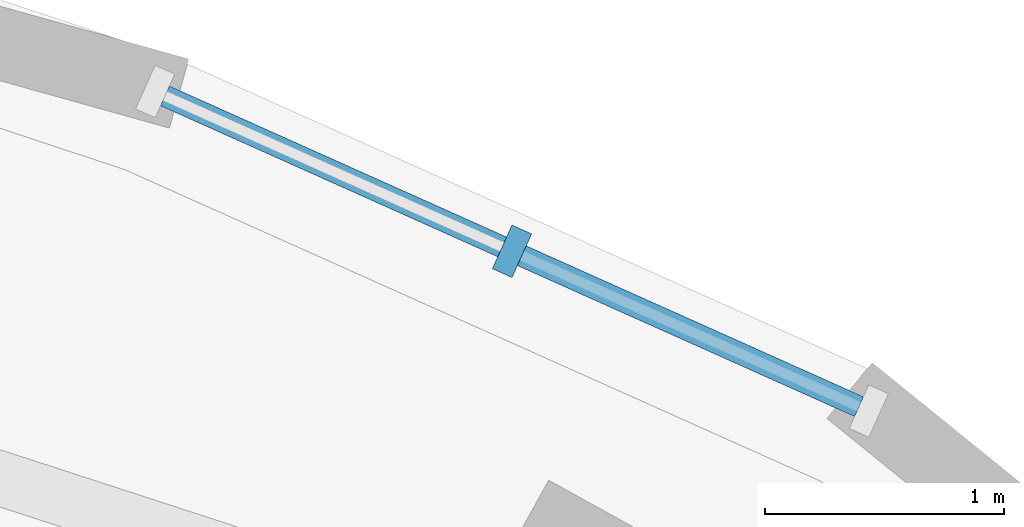
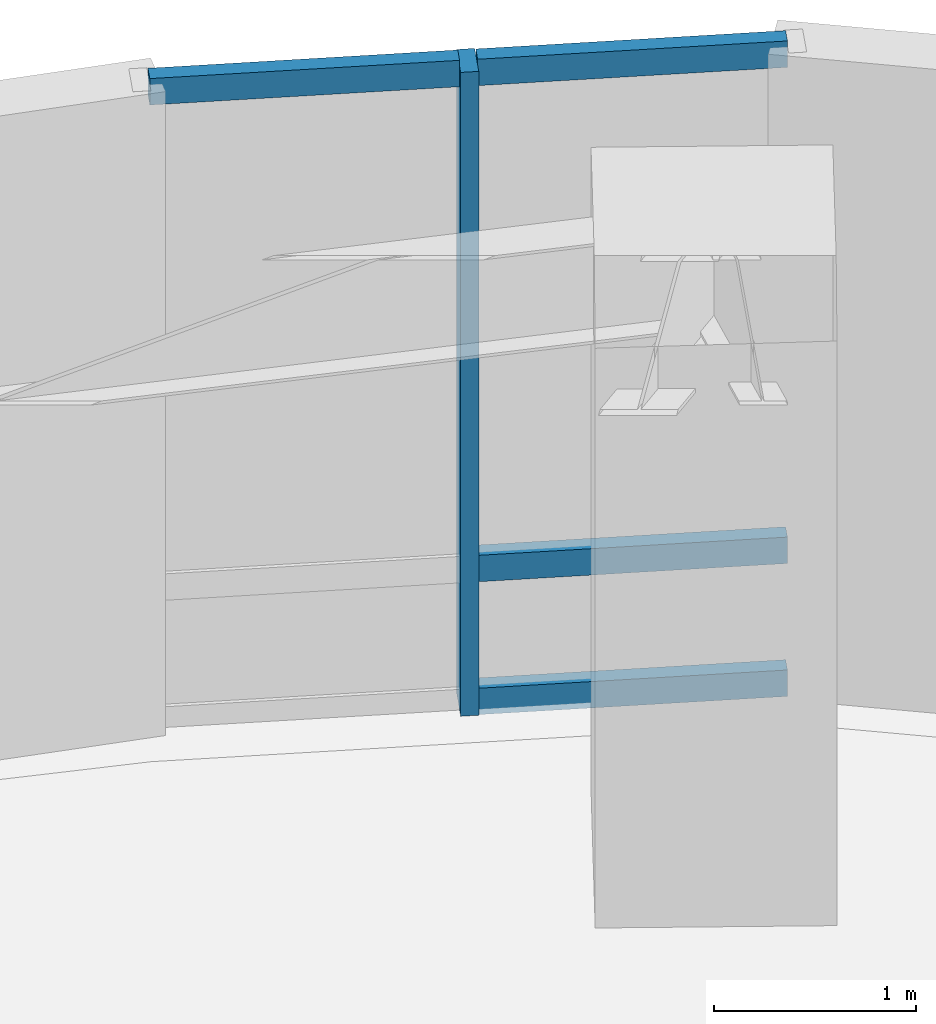
# One storey, part 6 of 14: 5 members, 1 element without a shape of its own.
"""IFC4 building model written with IfcOpenShell, lengths in metres."""

from ifc_helpers import new_model, si_unit, direction, frame, origin, origin_2d, place, context, subcontext, project, spatial, rectangle, extrude, material, layer, layer_set, material_profile, profile_set, type_object, element, aggregate, save


model = new_model("IFC4")

# Units and contexts
model_context = context("Model", 3, precision=1e-05, world=origin(), true_north=direction((0.0, 1.0)))
body_context = subcontext(model_context, "Body", "Model", "MODEL_VIEW")
ifc_project = project(units=[si_unit("LENGTHUNIT", "METRE"), si_unit("AREAUNIT", "SQUARE_METRE"), si_unit("VOLUMEUNIT", "CUBIC_METRE"), si_unit("PLANEANGLEUNIT", "RADIAN"), si_unit("MASSUNIT", "GRAM", prefix="KILO")], contexts=[model_context])

# Site, building, storey
site_placement = place(None, origin())
site = spatial("IfcSite", under=ifc_project, at=site_placement, CompositionType="ELEMENT")
building_placement = place(site_placement, origin())
building = spatial("IfcBuilding", under=site, at=building_placement, Name="Korentha Bioscience Tower", CompositionType="ELEMENT")
storey_placement = place(building_placement, frame((0.0, 0.0, 102.60009765625)))
storey = spatial("IfcBuildingStorey", under=building, at=storey_placement, Name="L23", CompositionType="ELEMENT", Elevation=102.60009765625)

# Curtain wall, members
ifc_material_1 = material(Name="Thermally Broken Aluminium Frame", Category="aluminium")
ifc_layer = layer(ifc_material_1, 0.219970703125, Name="Thermally Broken Aluminium Frame")
ifc_layer_set = layer_set([ifc_layer], Name="Thermally Broken Aluminium Frame (CW-T1)")
curtain_wall_type = type_object("IfcCurtainWallType", Name="Standard Bioscience Lab Unitised Curtain Wall CW-T1", PredefinedType="USERDEFINED", material=ifc_layer_set)
curtain_wall_placement = place(storey_placement, origin())
curtain_wall = element("IfcCurtainWall", 1, at=curtain_wall_placement, inside=storey, type_object=curtain_wall_type, Name="L23 Curtain Wall 01", ObjectType="UNITISED", PredefinedType="USERDEFINED")
ifc_material_2 = material(Name="Anodised Aluminium 6063-T6", Category="aluminium")
ifc_material_profile_1 = material_profile(ifc_material_2, rectangle(XDim=0.090087890625, YDim=0.199951171875, at=origin_2d()), Name="Anodised Aluminium 6063-T6")
ifc_profile_set_1 = profile_set([ifc_material_profile_1], Name="Anodised Aluminium 6063-T6 (CW-MUL)")
member_type_1 = type_object("IfcMemberType", Name="Mullion RECT 90x200", PredefinedType="MULLION", material=ifc_profile_set_1)
member_1_placement = place(storey_placement, frame((48.871337890625, 45.72021484375, 0.0), z_axis=(0.0, 0.0, 1.0), x_axis=(-0.912686563127, 0.408660295952, 0.0)))
member_1 = element("IfcMember", 2, at=member_1_placement, type_object=member_type_1, Name="CW-L23-01 Mullion 2", PredefinedType="MULLION", context=body_context, shape_type="SweptSolid", body=[
    extrude(rectangle(XDim=0.090087890625, YDim=0.199951171875, at=origin_2d()), origin(), (0.0, 0.0, 1.0), 3.89990234375),
])
ifc_material_profile_2 = material_profile(ifc_material_2, rectangle(XDim=0.090087890625, YDim=0.159912109375, at=origin_2d()), Name="Anodised Aluminium 6063-T6")
ifc_profile_set_2 = profile_set([ifc_material_profile_2], Name="Anodised Aluminium 6063-T6 (CW-TRN)")
member_type_2 = type_object("IfcMemberType", Name="Transom RECT 90x160", PredefinedType="USERDEFINED", material=ifc_profile_set_2)
member_2_placement = place(storey_placement, frame((50.322998046875, 45.0703125, 0.044921875), z_axis=(-0.912753156119, 0.408511537162, 0.0), x_axis=(-0.408511537162, -0.912753156119, 0.0)))
member_2 = element("IfcMember", 3, at=member_2_placement, type_object=member_type_2, Name="CW-L23-01 Bay 1 Transom 1", ObjectType="TRANSOM", PredefinedType="USERDEFINED", context=body_context, shape_type="SweptSolid", body=[
    extrude(rectangle(XDim=0.090087890625, YDim=0.159912109375, at=origin_2d()), origin(), (0.0, 0.0, 1.0), 1.54541015625),
])
member_3_placement = place(storey_placement, frame((50.322998046875, 45.0703125, 0.849853515625), z_axis=(-0.912753156119, 0.408511537162, 0.0), x_axis=(-0.408511537162, -0.912753156119, 0.0)))
member_3 = element("IfcMember", 4, at=member_3_placement, type_object=member_type_2, Name="CW-L23-01 Bay 1 Transom 2", ObjectType="TRANSOM", PredefinedType="USERDEFINED", context=body_context, shape_type="SweptSolid", body=[
    extrude(rectangle(XDim=0.090087890625, YDim=0.159912109375, at=origin_2d()), origin(), (0.0, 0.0, 1.0), 1.54541015625),
])
member_4_placement = place(storey_placement, frame((50.322998046875, 45.0703125, 3.85498046875), z_axis=(-0.912753156119, 0.408511537162, 0.0), x_axis=(-0.408511537162, -0.912753156119, 0.0)))
member_4 = element("IfcMember", 5, at=member_4_placement, type_object=member_type_2, Name="CW-L23-01 Bay 1 Transom 3", ObjectType="TRANSOM", PredefinedType="USERDEFINED", context=body_context, shape_type="SweptSolid", body=[
    extrude(rectangle(XDim=0.090087890625, YDim=0.159912109375, at=origin_2d()), origin(), (0.0, 0.0, 1.0), 1.54541015625),
])
member_5_placement = place(storey_placement, frame((48.830322265625, 45.738525390625, 3.85498046875), z_axis=(-0.912667864607, 0.408702053962, 0.0), x_axis=(-0.408702053962, -0.912667864607, 0.0)))
member_5 = element("IfcMember", 6, at=member_5_placement, type_object=member_type_2, Name="CW-L23-01 Bay 2 Transom 3", ObjectType="TRANSOM", PredefinedType="USERDEFINED", context=body_context, shape_type="SweptSolid", body=[
    extrude(rectangle(XDim=0.090087890625, YDim=0.159912109375, at=origin_2d()), origin(), (0.0, 0.0, 1.0), 1.54541015625),
])
aggregate(curtain_wall, [member_1, member_2, member_3, member_4, member_5])

save(model, "model.ifc")
